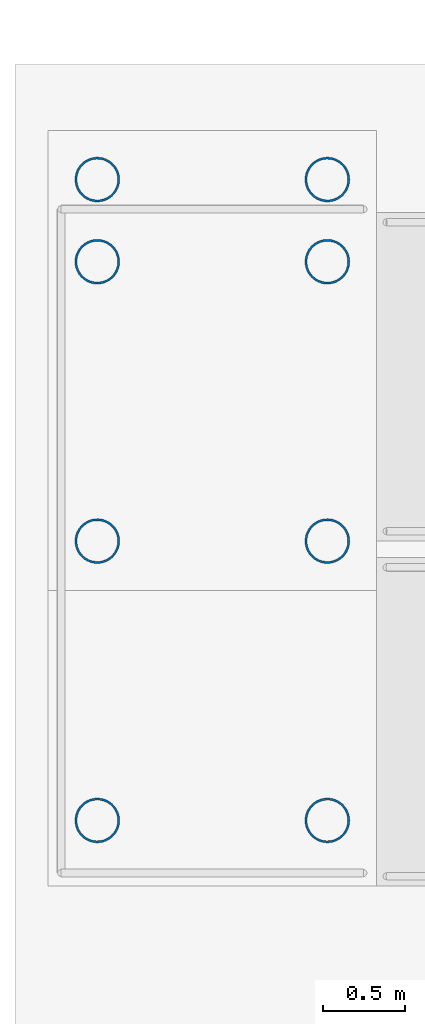
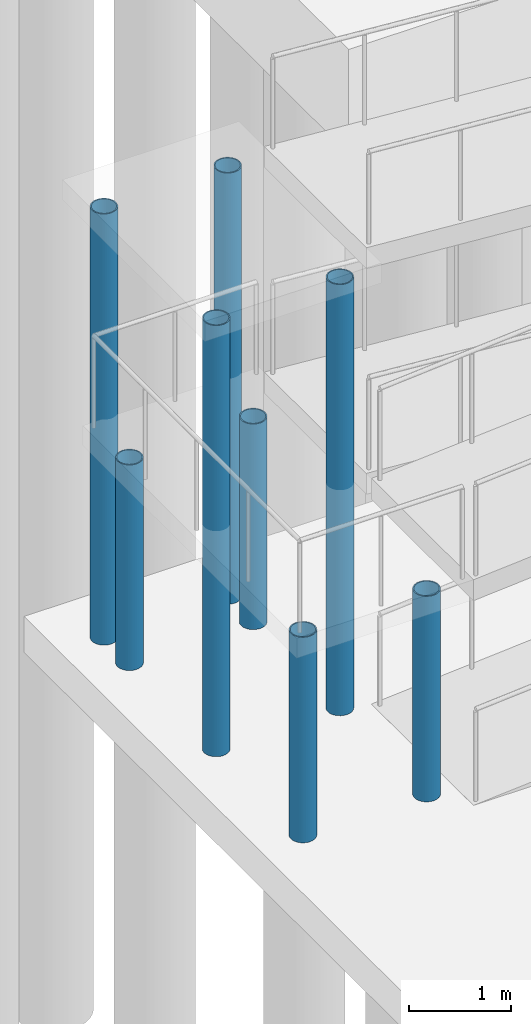
# One storey, part 13 of 41: 8 columns.
"""IFC4 building model written with IfcOpenShell, lengths in metres."""

import ifcopenshell
import ifcopenshell.guid

model = None  # the IFC model being written
_history = None  # IfcOwnerHistory: only IFC2X3 demands one
_inside = {}  # id of a spatial element -> (the spatial element, [elements in it])
_under = {}  # id of a project, library or spatial element -> (it, [spatial elements below it])
_declared = {}  # id of a project -> (the project, [libraries it declares])
_typed = {}  # id of a type object -> (the type object, [elements of that type])
_made_of = {}  # id of a material, layer set ... -> (it, [elements and type objects made of it])


def new_model(schema):
    """Start an empty IFC model of exactly this schema.

    Asked for "IFC4X3", IfcOpenShell would pick the latest addendum, in which some entities
    have other attributes; the version numbers below select the first issue.
    IFC2X3 requires an IfcOwnerHistory on every rooted entity: one is made here for all.
    """
    global model, _history
    if schema == "IFC4X3":
        model = ifcopenshell.file(schema_version=(4, 3, 0, 0))
    else:
        model = ifcopenshell.file(schema=schema)
    _inside.clear()
    _under.clear()
    _declared.clear()
    _typed.clear()
    _made_of.clear()
    _history = None
    if model.schema == "IFC2X3":
        org = make("IfcOrganization", Name="unknown")
        user = make(
            "IfcPersonAndOrganization",
            ThePerson=make("IfcPerson", FamilyName="unknown"),
            TheOrganization=org,
        )
        app = make(
            "IfcApplication",
            ApplicationDeveloper=org,
            Version="unknown",
            ApplicationFullName="unknown",
            ApplicationIdentifier="unknown",
        )
        _history = make(
            "IfcOwnerHistory",
            OwningUser=user,
            OwningApplication=app,
            ChangeAction="ADDED",
            CreationDate=0,
        )
    return model


def make(cls, **values):
    """One entity of the class cls with the attributes given. An attribute that is None is left unset."""
    return model.create_entity(
        cls, **{name: value for name, value in values.items() if value is not None}
    )


def rooted(cls, **values):
    """An entity with a GlobalId (a new one), such as an element, a storey or a relation."""
    return make(cls, GlobalId=ifcopenshell.guid.new(), OwnerHistory=_history, **values)


def si_unit(unit_type, name, prefix=None):
    """IfcSIUnit, for example si_unit("LENGTHUNIT", "METRE", prefix="MILLI")."""
    return make("IfcSIUnit", UnitType=unit_type, Prefix=prefix, Name=name)


def assignment(units):
    """IfcUnitAssignment: the units of a project."""
    return None if units is None else make("IfcUnitAssignment", Units=units)


def point(xyz):
    """IfcCartesianPoint."""
    return None if xyz is None else make("IfcCartesianPoint", Coordinates=xyz)


def direction(xyz):
    """IfcDirection."""
    return None if xyz is None else make("IfcDirection", DirectionRatios=xyz)


def frame(location, z_axis=None, x_axis=None):
    """IfcAxis2Placement3D, a coordinate frame: its origin and axes. An axis left out is left unset."""
    return make(
        "IfcAxis2Placement3D",
        Location=point(location),
        Axis=direction(z_axis),
        RefDirection=direction(x_axis),
    )


def frame_2d(location, x_axis=None):
    """IfcAxis2Placement2D, a coordinate frame in the plane: its origin and x axis."""
    return make(
        "IfcAxis2Placement2D", Location=point(location), RefDirection=direction(x_axis)
    )


def origin():
    """The frame at (0, 0, 0) with its axes left unset."""
    return frame((0.0, 0.0, 0.0))


def origin_2d():
    """The frame at (0, 0) in the plane with its x axis left unset."""
    return frame_2d((0.0, 0.0))


def place(relative_to, where):
    """IfcLocalPlacement: puts the frame where relative to a parent placement (None: the world)."""
    return make(
        "IfcLocalPlacement", PlacementRelTo=relative_to, RelativePlacement=where
    )


def context(
    kind, dimensions, precision=None, world=None, true_north=None, identifier=None
):
    """IfcGeometricRepresentationContext, for example the 3D "Model" context."""
    return make(
        "IfcGeometricRepresentationContext",
        ContextIdentifier=identifier,
        ContextType=kind,
        CoordinateSpaceDimension=dimensions,
        Precision=precision,
        WorldCoordinateSystem=world,
        TrueNorth=true_north,
    )


def subcontext(parent, identifier, kind, view, scale=None):
    """IfcGeometricRepresentationSubContext, for example "Body" below "Model"."""
    return make(
        "IfcGeometricRepresentationSubContext",
        ContextIdentifier=identifier,
        ContextType=kind,
        ParentContext=parent,
        TargetScale=scale,
        TargetView=view,
    )


def project(units=None, contexts=None):
    """IfcProject with its units and contexts."""
    return rooted(
        "IfcProject",
        Name="project",
        RepresentationContexts=contexts,
        UnitsInContext=assignment(units),
    )


def spatial(cls, under=None, at=None, **own):
    """A site, building, storey or space (cls), placed at a placement, below another one or the project."""
    s = rooted(cls, ObjectPlacement=at, **own)
    if under is not None:
        _under.setdefault(under.id(), (under, []))[1].append(s)
    return s


def profile(cls, at=None, kind="AREA", **sizes):
    """A parametric profile (cls). Its sizes go by their IFC names, for example OverallWidth=200.0."""
    return make(cls, ProfileType=kind, Position=at, **sizes)


def hollow_circle(**sizes):
    """IfcCircleHollowProfileDef."""
    return profile("IfcCircleHollowProfileDef", **sizes)


def extrude(swept, where, along, depth):
    """IfcExtrudedAreaSolid: the profile swept, set in the frame where, extruded along a direction by depth."""
    return make(
        "IfcExtrudedAreaSolid",
        SweptArea=swept,
        Position=where,
        ExtrudedDirection=direction(along),
        Depth=depth,
    )


def shape(context_of_items, identifier, shape_type, items):
    """IfcShapeRepresentation: the items that make up one representation, for example the "Body"."""
    return make(
        "IfcShapeRepresentation",
        ContextOfItems=context_of_items,
        RepresentationIdentifier=identifier,
        RepresentationType=shape_type,
        Items=items,
    )


def material(Name=None, Category=None):
    """IfcMaterial."""
    return make("IfcMaterial", Name=Name, Category=Category)


def material_profile(
    of_material, cross_section, Name=None, Category=None, Priority=None
):
    """IfcMaterialProfile: a cross section and its material."""
    return make(
        "IfcMaterialProfile",
        Name=Name,
        Material=of_material,
        Profile=cross_section,
        Priority=Priority,
        Category=Category,
    )


def profile_set(profiles, Name=None, composite=None):
    """IfcMaterialProfileSet."""
    return make(
        "IfcMaterialProfileSet",
        Name=Name,
        MaterialProfiles=profiles,
        CompositeProfile=composite,
    )


def made_of(thing, what):
    """Note that an element or type object is made of a material, layer set ...; save() writes the relation."""
    if what is not None:
        _made_of.setdefault(what.id(), (what, []))[1].append(thing)
    return thing


def type_object(cls, material=None, **own):
    """A type object (cls), such as IfcWallType, which elements share."""
    return made_of(rooted(cls, **own), material)


def element(
    cls,
    number,
    at=None,
    inside=None,
    cuts=None,
    type_object=None,
    material=None,
    context=None,
    identifier="Body",
    shape_type=None,
    held_by="IfcProductDefinitionShape",
    body=None,
    shapes=None,
    **own,
):
    """One element of the class cls, such as IfcWall. Its Tag is "e" and its number.

    at: its placement. inside: the storey or other place that contains it. cuts: it is an
    opening in that element (IfcRelVoidsElement). A single representation is given by context,
    identifier, shape_type and body (its items); several are given by shapes. held_by: the class
    of the entity that holds the representations. save() writes the other relations.
    """
    e = rooted(cls, Tag="e%d" % number, ObjectPlacement=at, **own)
    if body is not None:
        shapes = [shape(context, identifier, shape_type, body)]
    if shapes is not None:
        e.Representation = make(held_by, Representations=shapes)
    if inside is not None:
        _inside.setdefault(inside.id(), (inside, []))[1].append(e)
    if cuts is not None:
        rooted(
            "IfcRelVoidsElement", RelatingBuildingElement=cuts, RelatedOpeningElement=e
        )
    if type_object is not None:
        _typed.setdefault(type_object.id(), (type_object, []))[1].append(e)
    return made_of(e, material)


def aggregate(whole, parts):
    """IfcRelAggregates: a whole, such as a stair, and the parts it consists of."""
    return rooted("IfcRelAggregates", RelatingObject=whole, RelatedObjects=parts)


def save(model, path):
    """Write the relations noted so far, then the file.

    IfcRelAggregates (storeys below a building ...), IfcRelContainedInSpatialStructure (elements
    in a storey), IfcRelDefinesByType, IfcRelAssociatesMaterial and IfcRelDeclares: one each for
    every whole, place, type object, material and project.
    """
    for whole, parts in _under.values():
        aggregate(whole, parts)
    for where, things in _inside.values():
        rooted(
            "IfcRelContainedInSpatialStructure",
            RelatedElements=things,
            RelatingStructure=where,
        )
    for kind, things in _typed.values():
        rooted("IfcRelDefinesByType", RelatedObjects=things, RelatingType=kind)
    for what, things in _made_of.values():
        rooted("IfcRelAssociatesMaterial", RelatedObjects=things, RelatingMaterial=what)
    for by, libraries in _declared.values():
        rooted("IfcRelDeclares", RelatingContext=by, RelatedDefinitions=libraries)
    model.write(path)


model = new_model("IFC4")

# Units and contexts
model_context = context("Model", 3, precision=1e-05, world=origin(), true_north=direction((0.0, 1.0)))
body_context = subcontext(model_context, "Body", "Model", "MODEL_VIEW")
ifc_project = project(units=[si_unit("LENGTHUNIT", "METRE"), si_unit("AREAUNIT", "SQUARE_METRE"), si_unit("VOLUMEUNIT", "CUBIC_METRE"), si_unit("PLANEANGLEUNIT", "RADIAN"), si_unit("MASSUNIT", "GRAM", prefix="KILO")], contexts=[model_context])

# Site, building, storey
site_placement = place(None, origin())
site = spatial("IfcSite", under=ifc_project, at=site_placement, CompositionType="ELEMENT")
building_placement = place(site_placement, origin())
building = spatial("IfcBuilding", under=site, at=building_placement, Name="Shalvenor Court Art Gallery", CompositionType="ELEMENT")
storey_placement = place(building_placement, frame((0.0, 0.0, -5.39990234375)))
storey = spatial("IfcBuildingStorey", under=building, at=storey_placement, Name="B01", CompositionType="ELEMENT", Elevation=-5.39990234375)

# Columns
ifc_material = material(Name="Steel S355", Category="steel")
ifc_material_profile = material_profile(ifc_material, hollow_circle(Radius=0.136474609375, WallThickness=0.012451171875, at=origin_2d()), Name="CHS 273.0x12.5")
ifc_profile_set = profile_set([ifc_material_profile], Name="Steel S355")
column_type = type_object("IfcColumnType", Name="C-11", PredefinedType="COLUMN", material=ifc_profile_set)
column_1_placement = place(storey_placement, frame((48.5, 84.199951171875, 0.0), z_axis=(0.0, 0.0, 1.0), x_axis=(1.0, 0.0, 0.0)))
element("IfcColumn", 1, at=column_1_placement, inside=storey, type_object=column_type, Name="B01 Terrace Stair Support Column COL-TST-B01-C-11-0775", PredefinedType="COLUMN", context=body_context, shape_type="SweptSolid", body=[
    extrude(hollow_circle(Radius=0.136474609375, WallThickness=0.012451171875, at=origin_2d()), origin(), (0.0, 0.0, 1.0), 2.4599609375),
])
column_2_placement = place(storey_placement, frame((48.5, 85.89990234375, 0.0), z_axis=(0.0, 0.0, 1.0), x_axis=(1.0, 0.0, 0.0)))
element("IfcColumn", 2, at=column_2_placement, inside=storey, type_object=column_type, Name="B01 Terrace Stair Support Column COL-TST-B01-C-11-0776", PredefinedType="COLUMN", context=body_context, shape_type="SweptSolid", body=[
    extrude(hollow_circle(Radius=0.136474609375, WallThickness=0.012451171875, at=origin_2d()), origin(), (0.0, 0.0, 1.0), 5.159912109375),
])
column_3_placement = place(storey_placement, frame((48.5, 87.60009765625, 0.0), z_axis=(0.0, 0.0, 1.0), x_axis=(1.0, 0.0, 0.0)))
element("IfcColumn", 3, at=column_3_placement, inside=storey, type_object=column_type, Name="B01 Terrace Stair Support Column COL-TST-B01-C-11-0777", PredefinedType="COLUMN", context=body_context, shape_type="SweptSolid", body=[
    extrude(hollow_circle(Radius=0.136474609375, WallThickness=0.012451171875, at=origin_2d()), origin(), (0.0, 0.0, 1.0), 2.4599609375),
])
column_4_placement = place(storey_placement, frame((48.5, 88.10009765625, 0.0), z_axis=(0.0, 0.0, 1.0), x_axis=(1.0, 0.0, 0.0)))
element("IfcColumn", 4, at=column_4_placement, inside=storey, type_object=column_type, Name="B01 Terrace Stair Support Column COL-TST-B01-C-11-0778", PredefinedType="COLUMN", context=body_context, shape_type="SweptSolid", body=[
    extrude(hollow_circle(Radius=0.136474609375, WallThickness=0.012451171875, at=origin_2d()), origin(), (0.0, 0.0, 1.0), 5.159912109375),
])
column_5_placement = place(storey_placement, frame((49.89990234375, 84.199951171875, 0.0), z_axis=(0.0, 0.0, 1.0), x_axis=(1.0, 0.0, 0.0)))
element("IfcColumn", 5, at=column_5_placement, inside=storey, type_object=column_type, Name="B01 Terrace Stair Support Column COL-TST-B01-C-11-0779", PredefinedType="COLUMN", context=body_context, shape_type="SweptSolid", body=[
    extrude(hollow_circle(Radius=0.136474609375, WallThickness=0.012451171875, at=origin_2d()), origin(), (0.0, 0.0, 1.0), 2.4599609375),
])
column_6_placement = place(storey_placement, frame((49.89990234375, 85.89990234375, 0.0), z_axis=(0.0, 0.0, 1.0), x_axis=(1.0, 0.0, 0.0)))
element("IfcColumn", 6, at=column_6_placement, inside=storey, type_object=column_type, Name="B01 Terrace Stair Support Column COL-TST-B01-C-11-0780", PredefinedType="COLUMN", context=body_context, shape_type="SweptSolid", body=[
    extrude(hollow_circle(Radius=0.136474609375, WallThickness=0.012451171875, at=origin_2d()), origin(), (0.0, 0.0, 1.0), 5.159912109375),
])
column_7_placement = place(storey_placement, frame((49.89990234375, 87.60009765625, 0.0), z_axis=(0.0, 0.0, 1.0), x_axis=(1.0, 0.0, 0.0)))
element("IfcColumn", 7, at=column_7_placement, inside=storey, type_object=column_type, Name="B01 Terrace Stair Support Column COL-TST-B01-C-11-0781", PredefinedType="COLUMN", context=body_context, shape_type="SweptSolid", body=[
    extrude(hollow_circle(Radius=0.136474609375, WallThickness=0.012451171875, at=origin_2d()), origin(), (0.0, 0.0, 1.0), 2.4599609375),
])
column_8_placement = place(storey_placement, frame((49.89990234375, 88.10009765625, 0.0), z_axis=(0.0, 0.0, 1.0), x_axis=(1.0, 0.0, 0.0)))
element("IfcColumn", 8, at=column_8_placement, inside=storey, type_object=column_type, Name="B01 Terrace Stair Support Column COL-TST-B01-C-11-0782", PredefinedType="COLUMN", context=body_context, shape_type="SweptSolid", body=[
    extrude(hollow_circle(Radius=0.136474609375, WallThickness=0.012451171875, at=origin_2d()), origin(), (0.0, 0.0, 1.0), 5.159912109375),
])

save(model, "model.ifc")
